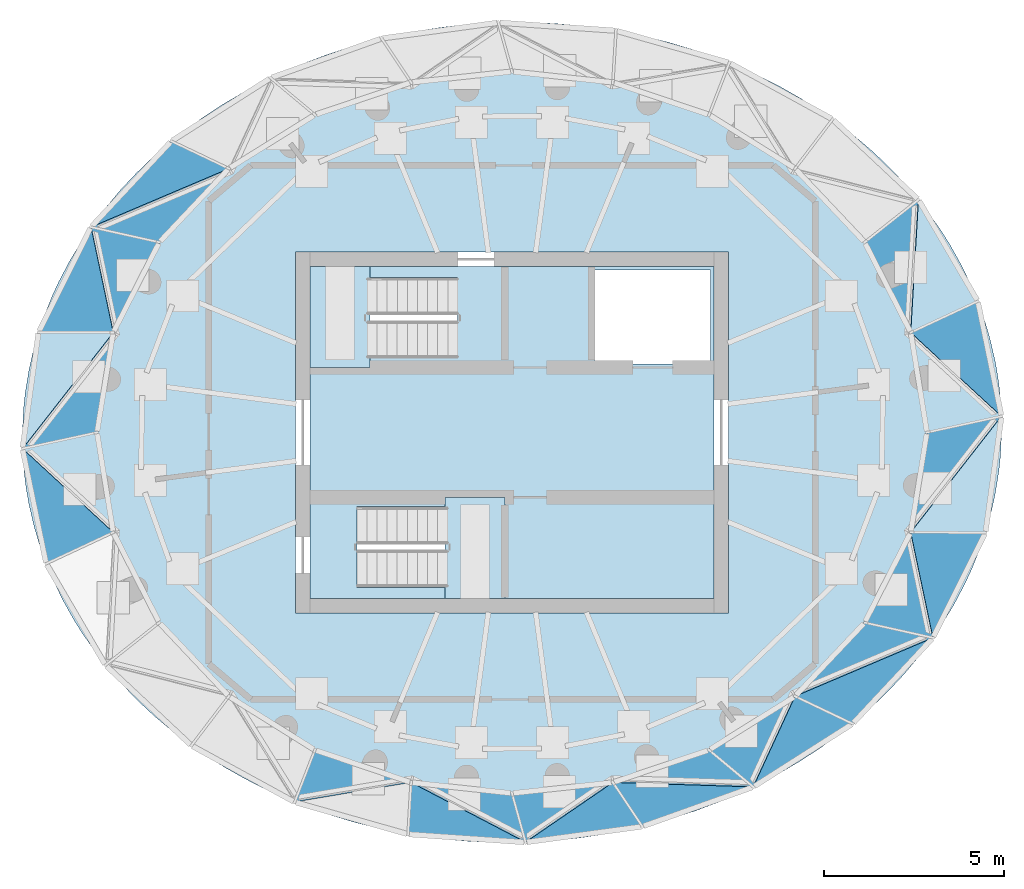
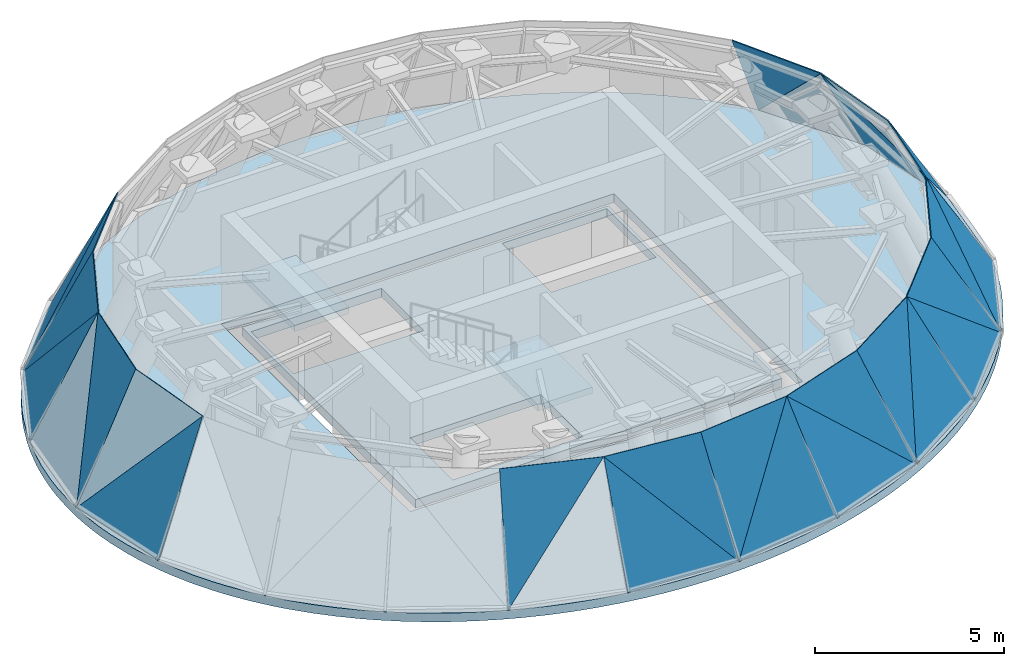
# One storey, part 5 of 8: 27 plates, 4 slabs, 29 elements without a shape of their own.
"""IFC4 building model written with IfcOpenShell, lengths in metres."""

from ifc_helpers import new_model, si_unit, direction, frame, origin, place, context, subcontext, project, spatial, line, indexed_curve, outline, extrude, material, layer, layer_set, type_object, element, aggregate, save


model = new_model("IFC4")

# Units and contexts
model_context = context("Model", 3, precision=1e-05, world=origin(), true_north=direction((0.0, 1.0)))
body_context = subcontext(model_context, "Body", "Model", "MODEL_VIEW")
ifc_project = project(units=[si_unit("LENGTHUNIT", "METRE"), si_unit("AREAUNIT", "SQUARE_METRE"), si_unit("VOLUMEUNIT", "CUBIC_METRE"), si_unit("PLANEANGLEUNIT", "RADIAN"), si_unit("MASSUNIT", "GRAM", prefix="KILO")], contexts=[model_context])

# Site, building, storey
site_placement = place(None, origin())
site = spatial("IfcSite", under=ifc_project, at=site_placement, CompositionType="ELEMENT")
building_placement = place(site_placement, origin())
building = spatial("IfcBuilding", under=site, at=building_placement, Name="Spindrift Exchange Tower", CompositionType="ELEMENT")
storey_placement = place(building_placement, frame((0.0, 0.0, 283.60009765625)))
storey = spatial("IfcBuildingStorey", under=building, at=storey_placement, Name="L70", CompositionType="ELEMENT", Elevation=283.60009765625)

# Curtain wall, plate
ifc_material_1 = material(Name="Fritted laminated glass with bronze frame", Category="glass")
ifc_layer_1 = layer(ifc_material_1, 0.14990234375)
ifc_layer_set_1 = layer_set([ifc_layer_1], Name="CROWN BRONZE RAKED GLAZED WALL")
curtain_wall_type = type_object("IfcCurtainWallType", Name="CROWN BRONZE RAKED GLAZED WALL", PredefinedType="NOTDEFINED", material=ifc_layer_set_1)
curtain_wall_1_placement = place(storey_placement, origin())
curtain_wall_1 = element("IfcCurtainWall", 1, at=curtain_wall_1_placement, inside=storey, type_object=curtain_wall_type, Name="L70 Crown Bronze Raked Glazed Wall facet 3", PredefinedType="NOTDEFINED")
ifc_material_2 = material(Name="Bronze fritted laminated glass, close frit", Category="glass")
ifc_layer_2 = layer(ifc_material_2, 0.030029296875)
ifc_layer_set_2 = layer_set([ifc_layer_2], Name="CROWN BRONZE RAKED GLAZED WALL PANEL CLOSE FRIT 300")
plate_type_1 = type_object("IfcPlateType", Name="CROWN BRONZE RAKED GLAZED WALL PANEL CLOSE FRIT 300", PredefinedType="CURTAIN_PANEL", material=ifc_layer_set_2)
plate_1_placement = place(storey_placement, frame((63.263916015625, 54.44921875, 0.014892578125), z_axis=(0.745184539992, 0.435235376235, 0.505242682906), x_axis=(0.504341624055, -0.863504213218, 0.0)))
plate_1 = element("IfcPlate", 2, at=plate_1_placement, type_object=plate_type_1, Name="L70 panel CW-R.2a", PredefinedType="CURTAIN_PANEL", context=body_context, shape_type="SweptSolid", body=[
    extrude(outline(indexed_curve([(0.0, 0.0), (3.2578125, 0.0), (3.0703125, -4.0380859375)], segments=[line(1, 2, 3, 1)], self_intersect=False)), origin(), (0.0, 0.0, -1.0), 0.030029296875),
])
aggregate(curtain_wall_1, [plate_1])

curtain_wall_2_placement = place(storey_placement, origin())
curtain_wall_2 = element("IfcCurtainWall", 3, at=curtain_wall_2_placement, inside=storey, type_object=curtain_wall_type, Name="L70 Crown Bronze Raked Glazed Wall facet 4", PredefinedType="NOTDEFINED")
plate_2_placement = place(storey_placement, frame((63.263916015625, 54.44921875, 0.013916015625), z_axis=(0.785453214008, 0.401009066203, 0.471439261652), x_axis=(-0.042105729036, -0.725325318576, 0.687117377029)))
plate_2 = element("IfcPlate", 4, at=plate_2_placement, type_object=plate_type_1, Name="L70 panel CW-R.2b", PredefinedType="CURTAIN_PANEL", context=body_context, shape_type="SweptSolid", body=[
    extrude(outline(indexed_curve([(0.0, 0.0), (5.0732421875, 0.0), (3.3134765625, -2.1875)], segments=[line(1, 2, 3, 1)], self_intersect=False)), origin(), (0.0, 0.0, -1.0), 0.030029296875),
])
aggregate(curtain_wall_2, [plate_2])

curtain_wall_3_placement = place(storey_placement, origin())
curtain_wall_3 = element("IfcCurtainWall", 5, at=curtain_wall_3_placement, inside=storey, type_object=curtain_wall_type, Name="L70 Crown Bronze Raked Glazed Wall facet 19", PredefinedType="NOTDEFINED")
plate_3_placement = place(storey_placement, frame((40.334716796875, 53.6904296875, 0.012939453125), z_axis=(-0.657817903597, 0.615064797408, 0.434707833719), x_axis=(0.682971612853, 0.730444916498, 0.0)))
plate_3 = element("IfcPlate", 6, at=plate_3_placement, type_object=plate_type_1, Name="L70 panel CW-R.10a", PredefinedType="CURTAIN_PANEL", context=body_context, shape_type="SweptSolid", body=[
    extrude(outline(indexed_curve([(0.0, 0.0), (3.2607421875, 0.0), (3.7939453125, -3.8720703125)], segments=[line(1, 2, 3, 1)], self_intersect=False)), origin(), (0.0, 0.0, -1.0), 0.030029296875),
])
aggregate(curtain_wall_3, [plate_3])

curtain_wall_4_placement = place(storey_placement, origin())
curtain_wall_4 = element("IfcCurtainWall", 7, at=curtain_wall_4_placement, inside=storey, type_object=curtain_wall_type, Name="L70 Crown Bronze Raked Glazed Wall facet 20", PredefinedType="NOTDEFINED")
plate_4_placement = place(storey_placement, frame((40.334716796875, 53.6904296875, 0.0126953125), z_axis=(-0.656115855236, 0.619721622501, 0.430647297811), x_axis=(0.704766908245, 0.299128494125, 0.643292895224)))
plate_4 = element("IfcPlate", 8, at=plate_4_placement, type_object=plate_type_1, Name="L70 panel CW-R.10b", PredefinedType="CURTAIN_PANEL", context=body_context, shape_type="SweptSolid", body=[
    extrude(outline(indexed_curve([(0.0, 0.0), (5.4208984375, 0.0), (3.4501953125, -2.001953125)], segments=[line(1, 2, 3, 1)], self_intersect=False)), origin(), (0.0, 0.0, -1.0), 0.030029296875),
])
aggregate(curtain_wall_4, [plate_4])

curtain_wall_5_placement = place(storey_placement, origin())
curtain_wall_5 = element("IfcCurtainWall", 9, at=curtain_wall_5_placement, inside=storey, type_object=curtain_wall_type, Name="L70 Crown Bronze Raked Glazed Wall facet 25", PredefinedType="NOTDEFINED")
plate_5_placement = place(storey_placement, frame((38.435546875, 47.55126953125, 0.0146484375), z_axis=(-0.85014811772, -0.175407752863, 0.496467821891), x_axis=(0.202069831285, -0.979371116219, 0.0)))
plate_5 = element("IfcPlate", 10, at=plate_5_placement, type_object=plate_type_1, Name="L70 panel CW-R.13a", PredefinedType="CURTAIN_PANEL", context=body_context, shape_type="SweptSolid", body=[
    extrude(outline(indexed_curve([(0.0, 0.0), (3.2548828125, 0.0), (2.7802734375, 4.0146484375)], segments=[line(1, 2, 3, 1)], self_intersect=False)), origin(), (0.0, 0.0, -1.0), 0.030029296875),
])
aggregate(curtain_wall_5, [plate_5])

curtain_wall_6_placement = place(storey_placement, origin())
curtain_wall_6 = element("IfcCurtainWall", 11, at=curtain_wall_6_placement, inside=storey, type_object=curtain_wall_type, Name="L70 Crown Bronze Raked Glazed Wall facet 26", PredefinedType="NOTDEFINED")
plate_6_placement = place(storey_placement, frame((38.435546875, 47.55126953125, 0.015380859375), z_axis=(-0.84437652166, -0.137119064877, 0.517906025951), x_axis=(0.514827698814, -0.475183266384, 0.713549790752)))
plate_6 = element("IfcPlate", 12, at=plate_6_placement, type_object=plate_type_1, Name="L70 panel CW-R.13b", PredefinedType="CURTAIN_PANEL", context=body_context, shape_type="SweptSolid", body=[
    extrude(outline(indexed_curve([(0.0, 0.0), (4.8837890625, 0.0), (3.3359375, 2.33984375)], segments=[line(1, 2, 3, 1)], self_intersect=False)), origin(), (0.0, 0.0, -1.0), 0.030029296875),
])
aggregate(curtain_wall_6, [plate_6])

curtain_wall_7_placement = place(storey_placement, origin())
curtain_wall_7 = element("IfcCurtainWall", 13, at=curtain_wall_7_placement, inside=storey, type_object=curtain_wall_type, Name="L70 Crown Bronze Raked Glazed Wall facet 39", PredefinedType="NOTDEFINED")
plate_7_placement = place(storey_placement, frame((58.685791015625, 38.176513671875, 0.01123046875), z_axis=(0.310907110989, -0.872257553084, 0.377496396573), x_axis=(-0.941951556741, -0.335748811991, 0.0)))
plate_7 = element("IfcPlate", 14, at=plate_7_placement, type_object=plate_type_1, Name="L70 panel CW-R.20a", PredefinedType="CURTAIN_PANEL", context=body_context, shape_type="SweptSolid", body=[
    extrude(outline(indexed_curve([(0.0, 0.0), (3.2646484375, 0.0), (3.6220703125, -3.767578125)], segments=[line(1, 2, 3, 1)], self_intersect=False)), origin(), (0.0, 0.0, -1.0), 0.030029296875),
])
aggregate(curtain_wall_7, [plate_7])

curtain_wall_8_placement = place(storey_placement, origin())
curtain_wall_8 = element("IfcCurtainWall", 15, at=curtain_wall_8_placement, inside=storey, type_object=curtain_wall_type, Name="L70 Crown Bronze Raked Glazed Wall facet 40", PredefinedType="NOTDEFINED")
plate_8_placement = place(storey_placement, frame((58.685791015625, 38.176513671875, 0.0107421875), z_axis=(0.297914827801, -0.882743555741, 0.363332588924), x_axis=(-0.744151646246, 0.023635724876, 0.667592450451)))
plate_8 = element("IfcPlate", 16, at=plate_8_placement, type_object=plate_type_1, Name="L70 panel CW-R.20b", PredefinedType="CURTAIN_PANEL", context=body_context, shape_type="SweptSolid", body=[
    extrude(outline(indexed_curve([(0.0, 0.0), (5.2265625, 0.0), (3.265625, -2.0146484375)], segments=[line(1, 2, 3, 1)], self_intersect=False)), origin(), (0.0, 0.0, -1.0), 0.030029296875),
])
aggregate(curtain_wall_8, [plate_8])

curtain_wall_9_placement = place(storey_placement, origin())
curtain_wall_9 = element("IfcCurtainWall", 17, at=curtain_wall_9_placement, inside=storey, type_object=curtain_wall_type, Name="L70 Crown Bronze Raked Glazed Wall facet 41", PredefinedType="NOTDEFINED")
plate_9_placement = place(storey_placement, frame((58.685791015625, 38.176513671875, 0.01171875), z_axis=(0.493325295918, -0.775333525435, 0.394319764588), x_axis=(0.843695379122, 0.536822230583, 0.0)))
plate_9 = element("IfcPlate", 18, at=plate_9_placement, type_object=plate_type_1, Name="L70 panel CW-R.21a", PredefinedType="CURTAIN_PANEL", context=body_context, shape_type="SweptSolid", body=[
    extrude(outline(indexed_curve([(0.0, 0.0), (3.2626953125, 0.0), (2.326171875, 3.7958984375)], segments=[line(1, 2, 3, 1)], self_intersect=False)), origin(), (0.0, 0.0, -1.0), 0.030029296875),
])
aggregate(curtain_wall_9, [plate_9])

curtain_wall_10_placement = place(storey_placement, origin())
curtain_wall_10 = element("IfcCurtainWall", 19, at=curtain_wall_10_placement, inside=storey, type_object=curtain_wall_type, Name="L70 Crown Bronze Raked Glazed Wall facet 42", PredefinedType="NOTDEFINED")
plate_10_placement = place(storey_placement, frame((58.685791015625, 38.176513671875, 0.01171875), z_axis=(0.485766761889, -0.777880031132, 0.398664408005), x_axis=(0.260328213113, 0.564145002801, 0.783562146401)))
plate_10 = element("IfcPlate", 20, at=plate_10_placement, type_object=plate_type_1, Name="L70 panel CW-R.21b", PredefinedType="CURTAIN_PANEL", context=body_context, shape_type="SweptSolid", body=[
    extrude(outline(indexed_curve([(0.0, 0.0), (4.4521484375, 0.0), (2.9912109375, 2.4013671875)], segments=[line(1, 2, 3, 1)], self_intersect=False)), origin(), (0.0, 0.0, -1.0), 0.030029296875),
])
aggregate(curtain_wall_10, [plate_10])

curtain_wall_11_placement = place(storey_placement, origin())
curtain_wall_11 = element("IfcCurtainWall", 21, at=curtain_wall_11_placement, inside=storey, type_object=curtain_wall_type, Name="L70 Crown Bronze Raked Glazed Wall facet 45", PredefinedType="NOTDEFINED")
plate_11_placement = place(storey_placement, frame((63.665283203125, 42.3095703125, 0.013916015625), z_axis=(0.790122865764, -0.394002641772, 0.469539961318), x_axis=(0.446253974646, 0.894906358293, 0.0)))
plate_11 = element("IfcPlate", 22, at=plate_11_placement, type_object=plate_type_1, Name="L70 panel CW-R.23a", PredefinedType="CURTAIN_PANEL", context=body_context, shape_type="SweptSolid", body=[
    extrude(outline(indexed_curve([(0.0, 0.0), (3.2578125, 0.0), (2.33984375, 3.9482421875)], segments=[line(1, 2, 3, 1)], self_intersect=False)), origin(), (0.0, 0.0, -1.0), 0.030029296875),
])
aggregate(curtain_wall_11, [plate_11])

curtain_wall_12_placement = place(storey_placement, origin())
curtain_wall_12 = element("IfcCurtainWall", 23, at=curtain_wall_12_placement, inside=storey, type_object=curtain_wall_type, Name="L70 Crown Bronze Raked Glazed Wall facet 46", PredefinedType="NOTDEFINED")
plate_12_placement = place(storey_placement, frame((63.665283203125, 42.3095703125, 0.01416015625), z_axis=(0.784273944734, -0.400406996389, 0.473907814721), x_axis=(-0.134003036063, 0.63650112207, 0.759545593056)))
plate_12 = element("IfcPlate", 24, at=plate_12_placement, type_object=plate_type_1, Name="L70 panel CW-R.23b", PredefinedType="CURTAIN_PANEL", context=body_context, shape_type="SweptSolid", body=[
    extrude(outline(indexed_curve([(0.0, 0.0), (4.58984375, 0.0), (3.1689453125, 2.421875)], segments=[line(1, 2, 3, 1)], self_intersect=False)), origin(), (0.0, 0.0, -1.0), 0.030029296875),
])
aggregate(curtain_wall_12, [plate_12])

curtain_wall_13_placement = place(storey_placement, origin())
curtain_wall_13 = element("IfcCurtainWall", 25, at=curtain_wall_13_placement, inside=storey, type_object=curtain_wall_type, Name="L70 Crown Bronze Raked Glazed Wall facet 23", PredefinedType="NOTDEFINED")
ifc_layer_3 = layer(ifc_material_2, 0.030029296875)
ifc_layer_set_3 = layer_set([ifc_layer_3], Name="CROWN BRONZE RAKED GLAZED WALL PANEL CLOSE FRIT 420")
plate_type_2 = type_object("IfcPlateType", Name="CROWN BRONZE RAKED GLAZED WALL PANEL CLOSE FRIT 420", PredefinedType="CURTAIN_PANEL", material=ifc_layer_set_3)
plate_13_placement = place(storey_placement, frame((38.435546875, 47.55126953125, 0.01513671875), z_axis=(-0.853814910333, 0.117992746582, 0.507028412072), x_axis=(0.136893757912, 0.990585735333, 0.0)))
plate_13 = element("IfcPlate", 26, at=plate_13_placement, type_object=plate_type_2, Name="L70 panel CW-R.12a", PredefinedType="CURTAIN_PANEL", context=body_context, shape_type="SweptSolid", body=[
    extrude(outline(indexed_curve([(0.0, 0.0), (3.2548828125, 0.0), (3.5322265625, -4.04296875)], segments=[line(1, 2, 3, 1)], self_intersect=False)), origin(), (0.0, 0.0, -1.0), 0.030029296875),
])
aggregate(curtain_wall_13, [plate_13])

curtain_wall_14_placement = place(storey_placement, origin())
curtain_wall_14 = element("IfcCurtainWall", 27, at=curtain_wall_14_placement, inside=storey, type_object=curtain_wall_type, Name="L70 Crown Bronze Raked Glazed Wall facet 24", PredefinedType="NOTDEFINED")
plate_14_placement = place(storey_placement, frame((38.435546875, 47.55126953125, 0.0146484375), z_axis=(-0.859744387854, 0.139614666528, 0.491271139438), x_axis=(0.468288453832, 0.599389212464, 0.649182944931)))
plate_14 = element("IfcPlate", 28, at=plate_14_placement, type_object=plate_type_2, Name="L70 panel CW-R.12b", PredefinedType="CURTAIN_PANEL", context=body_context, shape_type="SweptSolid", body=[
    extrude(outline(indexed_curve([(0.0, 0.0), (5.369140625, 0.0), (3.498046875, -2.0908203125)], segments=[line(1, 2, 3, 1)], self_intersect=False)), origin(), (0.0, 0.0, -1.0), 0.030029296875),
])
aggregate(curtain_wall_14, [plate_14])

curtain_wall_15_placement = place(storey_placement, origin())
curtain_wall_15 = element("IfcCurtainWall", 29, at=curtain_wall_15_placement, inside=storey, type_object=curtain_wall_type, Name="L70 Crown Bronze Raked Glazed Wall facet 34", PredefinedType="NOTDEFINED")
plate_15_placement = place(storey_placement, frame((45.978271484375, 37.756103515625, 0.011962890625), z_axis=(-0.292316130946, -0.866154204999, 0.405374114556), x_axis=(0.674511107425, 0.113754503621, 0.729448201633)))
plate_15 = element("IfcPlate", 30, at=plate_15_placement, type_object=plate_type_2, Name="L70 panel CW-R.17b", PredefinedType="CURTAIN_PANEL", context=body_context, shape_type="SweptSolid", body=[
    extrude(outline(indexed_curve([(0.0, 0.0), (4.7822265625, 0.0), (3.0869140625, 2.244140625)], segments=[line(1, 2, 3, 1)], self_intersect=False)), origin(), (0.0, 0.0, -1.0), 0.030029296875),
])
aggregate(curtain_wall_15, [plate_15])

curtain_wall_16_placement = place(storey_placement, origin())
curtain_wall_16 = element("IfcCurtainWall", 31, at=curtain_wall_16_placement, inside=storey, type_object=curtain_wall_type, Name="L70 Crown Bronze Raked Glazed Wall facet 37", PredefinedType="NOTDEFINED")
plate_16_placement = place(storey_placement, frame((52.375732421875, 36.643310546875, 0.010498046875), z_axis=(0.125297129076, -0.927100812122, 0.353248798452), x_axis=(0.990990552755, 0.133931789917, 0.0)))
plate_16 = element("IfcPlate", 32, at=plate_16_placement, type_object=plate_type_2, Name="L70 panel CW-R.19a", PredefinedType="CURTAIN_PANEL", context=body_context, shape_type="SweptSolid", body=[
    extrude(outline(indexed_curve([(0.0, 0.0), (3.2646484375, 0.0), (2.62109375, 3.7294921875)], segments=[line(1, 2, 3, 1)], self_intersect=False)), origin(), (0.0, 0.0, -1.0), 0.030029296875),
])
aggregate(curtain_wall_16, [plate_16])

curtain_wall_17_placement = place(storey_placement, origin())
curtain_wall_17 = element("IfcCurtainWall", 33, at=curtain_wall_17_placement, inside=storey, type_object=curtain_wall_type, Name="L70 Crown Bronze Raked Glazed Wall facet 38", PredefinedType="NOTDEFINED")
plate_17_placement = place(storey_placement, frame((52.375732421875, 36.643310546875, 0.010986328125), z_axis=(0.099120078612, -0.923776550381, 0.369881190361), x_axis=(0.531050035247, 0.363459963609, 0.765429758317)))
plate_17 = element("IfcPlate", 34, at=plate_17_placement, type_object=plate_type_2, Name="L70 panel CW-R.19b", PredefinedType="CURTAIN_PANEL", context=body_context, shape_type="SweptSolid", body=[
    extrude(outline(indexed_curve([(0.0, 0.0), (4.55859375, 0.0), (2.9638671875, 2.3173828125)], segments=[line(1, 2, 3, 1)], self_intersect=False)), origin(), (0.0, 0.0, -1.0), 0.030029296875),
])
aggregate(curtain_wall_17, [plate_17])

curtain_wall_18_placement = place(storey_placement, origin())
curtain_wall_18 = element("IfcCurtainWall", 35, at=curtain_wall_18_placement, inside=storey, type_object=curtain_wall_type, Name="L70 Crown Bronze Raked Glazed Wall facet 43", PredefinedType="NOTDEFINED")
plate_18_placement = place(storey_placement, frame((63.665283203125, 42.3095703125, 0.012939453125), z_axis=(0.657817903597, -0.615064797408, 0.434707833719), x_axis=(-0.682971612853, -0.730444916498, 0.0)))
plate_18 = element("IfcPlate", 36, at=plate_18_placement, type_object=plate_type_2, Name="L70 panel CW-R.22a", PredefinedType="CURTAIN_PANEL", context=body_context, shape_type="SweptSolid", body=[
    extrude(outline(indexed_curve([(0.0, 0.0), (3.2607421875, 0.0), (3.7939453125, -3.8720703125)], segments=[line(1, 2, 3, 1)], self_intersect=False)), origin(), (0.0, 0.0, -1.0), 0.030029296875),
])
aggregate(curtain_wall_18, [plate_18])

curtain_wall_19_placement = place(storey_placement, origin())
curtain_wall_19 = element("IfcCurtainWall", 37, at=curtain_wall_19_placement, inside=storey, type_object=curtain_wall_type, Name="L70 Crown Bronze Raked Glazed Wall facet 44", PredefinedType="NOTDEFINED")
plate_19_placement = place(storey_placement, frame((63.665283203125, 42.3095703125, 0.0126953125), z_axis=(0.656115855236, -0.619721622501, 0.430647297811), x_axis=(-0.704766908245, -0.299128494125, 0.643292895224)))
plate_19 = element("IfcPlate", 38, at=plate_19_placement, type_object=plate_type_2, Name="L70 panel CW-R.22b", PredefinedType="CURTAIN_PANEL", context=body_context, shape_type="SweptSolid", body=[
    extrude(outline(indexed_curve([(0.0, 0.0), (5.4208984375, 0.0), (3.4501953125, -2.001953125)], segments=[line(1, 2, 3, 1)], self_intersect=False)), origin(), (0.0, 0.0, -1.0), 0.030029296875),
])
aggregate(curtain_wall_19, [plate_19])

curtain_wall_20_placement = place(storey_placement, origin())
curtain_wall_20 = element("IfcCurtainWall", 39, at=curtain_wall_20_placement, inside=storey, type_object=curtain_wall_type, Name="L70 Crown Bronze Raked Glazed Wall facet 1", PredefinedType="NOTDEFINED")
ifc_layer_4 = layer(ifc_material_2, 0.030029296875)
ifc_layer_set_4 = layer_set([ifc_layer_4], Name="CROWN BRONZE RAKED GLAZED WALL PANEL CLOSE FRIT 540")
plate_type_3 = type_object("IfcPlateType", Name="CROWN BRONZE RAKED GLAZED WALL PANEL CLOSE FRIT 540", PredefinedType="CURTAIN_PANEL", material=ifc_layer_set_4)
plate_20_placement = place(storey_placement, frame((65.564453125, 48.44873046875, 0.0146484375), z_axis=(0.85014811772, 0.175407752863, 0.496467821891), x_axis=(-0.202069831285, 0.979371116219, 0.0)))
plate_20 = element("IfcPlate", 40, at=plate_20_placement, type_object=plate_type_3, Name="L70 panel CW-R.1a", PredefinedType="CURTAIN_PANEL", context=body_context, shape_type="SweptSolid", body=[
    extrude(outline(indexed_curve([(0.0, 0.0), (3.2548828125, 0.0), (2.7802734375, 4.0146484375)], segments=[line(1, 2, 3, 1)], self_intersect=False)), origin(), (0.0, 0.0, -1.0), 0.030029296875),
])
aggregate(curtain_wall_20, [plate_20])

curtain_wall_21_placement = place(storey_placement, origin())
curtain_wall_21 = element("IfcCurtainWall", 41, at=curtain_wall_21_placement, inside=storey, type_object=curtain_wall_type, Name="L70 Crown Bronze Raked Glazed Wall facet 2", PredefinedType="NOTDEFINED")
plate_21_placement = place(storey_placement, frame((65.564453125, 48.44873046875, 0.015380859375), z_axis=(0.84437652166, 0.137119064877, 0.517906025951), x_axis=(-0.514827698814, 0.475183266384, 0.713549790752)))
plate_21 = element("IfcPlate", 42, at=plate_21_placement, type_object=plate_type_3, Name="L70 panel CW-R.1b", PredefinedType="CURTAIN_PANEL", context=body_context, shape_type="SweptSolid", body=[
    extrude(outline(indexed_curve([(0.0, 0.0), (4.8837890625, 0.0), (3.3359375, 2.33984375)], segments=[line(1, 2, 3, 1)], self_intersect=False)), origin(), (0.0, 0.0, -1.0), 0.030029296875),
])
aggregate(curtain_wall_21, [plate_21])

curtain_wall_22_placement = place(storey_placement, origin())
curtain_wall_22 = element("IfcCurtainWall", 43, at=curtain_wall_22_placement, inside=storey, type_object=curtain_wall_type, Name="L70 Crown Bronze Raked Glazed Wall facet 21", PredefinedType="NOTDEFINED")
plate_22_placement = place(storey_placement, frame((40.334716796875, 53.6904296875, 0.013916015625), z_axis=(-0.790122865764, 0.394002641772, 0.469539961318), x_axis=(-0.446253974646, -0.894906358293, 0.0)))
plate_22 = element("IfcPlate", 44, at=plate_22_placement, type_object=plate_type_3, Name="L70 panel CW-R.11a", PredefinedType="CURTAIN_PANEL", context=body_context, shape_type="SweptSolid", body=[
    extrude(outline(indexed_curve([(0.0, 0.0), (3.2578125, 0.0), (2.33984375, 3.9482421875)], segments=[line(1, 2, 3, 1)], self_intersect=False)), origin(), (0.0, 0.0, -1.0), 0.030029296875),
])
aggregate(curtain_wall_22, [plate_22])

curtain_wall_23_placement = place(storey_placement, origin())
curtain_wall_23 = element("IfcCurtainWall", 45, at=curtain_wall_23_placement, inside=storey, type_object=curtain_wall_type, Name="L70 Crown Bronze Raked Glazed Wall facet 22", PredefinedType="NOTDEFINED")
plate_23_placement = place(storey_placement, frame((40.334716796875, 53.6904296875, 0.01416015625), z_axis=(-0.784273944734, 0.400406996389, 0.473907814721), x_axis=(0.134003036063, -0.63650112207, 0.759545593056)))
plate_23 = element("IfcPlate", 46, at=plate_23_placement, type_object=plate_type_3, Name="L70 panel CW-R.11b", PredefinedType="CURTAIN_PANEL", context=body_context, shape_type="SweptSolid", body=[
    extrude(outline(indexed_curve([(0.0, 0.0), (4.58984375, 0.0), (3.1689453125, 2.421875)], segments=[line(1, 2, 3, 1)], self_intersect=False)), origin(), (0.0, 0.0, -1.0), 0.030029296875),
])
aggregate(curtain_wall_23, [plate_23])

curtain_wall_24_placement = place(storey_placement, origin())
curtain_wall_24 = element("IfcCurtainWall", 47, at=curtain_wall_24_placement, inside=storey, type_object=curtain_wall_type, Name="L70 Crown Bronze Raked Glazed Wall facet 35", PredefinedType="NOTDEFINED")
plate_24_placement = place(storey_placement, frame((52.375732421875, 36.643310546875, 0.01123046875), z_axis=(-0.062994162195, -0.922508362069, 0.380801861133), x_axis=(-0.99767665123, 0.068127084122, 0.0)))
plate_24 = element("IfcPlate", 48, at=plate_24_placement, type_object=plate_type_3, Name="L70 panel CW-R.18a", PredefinedType="CURTAIN_PANEL", context=body_context, shape_type="SweptSolid", body=[
    extrude(outline(indexed_curve([(0.0, 0.0), (3.2646484375, 0.0), (3.27734375, -3.7734375)], segments=[line(1, 2, 3, 1)], self_intersect=False)), origin(), (0.0, 0.0, -1.0), 0.030029296875),
])
aggregate(curtain_wall_24, [plate_24])

curtain_wall_25_placement = place(storey_placement, origin())
curtain_wall_25 = element("IfcCurtainWall", 49, at=curtain_wall_25_placement, inside=storey, type_object=curtain_wall_type, Name="L70 Crown Bronze Raked Glazed Wall facet 36", PredefinedType="NOTDEFINED")
plate_25_placement = place(storey_placement, frame((52.375732421875, 36.643310546875, 0.010498046875), z_axis=(-0.099890765181, -0.930959173628, 0.351193468148), x_axis=(-0.634630174156, 0.331455426909, 0.698127382376)))
plate_25 = element("IfcPlate", 50, at=plate_25_placement, type_object=plate_type_3, Name="L70 panel CW-R.18b", PredefinedType="CURTAIN_PANEL", context=body_context, shape_type="SweptSolid", body=[
    extrude(outline(indexed_curve([(0.0, 0.0), (4.998046875, 0.0), (3.1240234375, -2.0966796875)], segments=[line(1, 2, 3, 1)], self_intersect=False)), origin(), (0.0, 0.0, -1.0), 0.030029296875),
])
aggregate(curtain_wall_25, [plate_25])

curtain_wall_26_placement = place(storey_placement, origin())
curtain_wall_26 = element("IfcCurtainWall", 51, at=curtain_wall_26_placement, inside=storey, type_object=curtain_wall_type, Name="L70 Crown Bronze Raked Glazed Wall facet 47", PredefinedType="NOTDEFINED")
plate_26_placement = place(storey_placement, frame((65.564453125, 48.44873046875, 0.01513671875), z_axis=(0.853814910333, -0.117992746582, 0.507028412072), x_axis=(-0.136893757912, -0.990585735333, 0.0)))
plate_26 = element("IfcPlate", 52, at=plate_26_placement, type_object=plate_type_3, Name="L70 panel CW-R.24a", PredefinedType="CURTAIN_PANEL", context=body_context, shape_type="SweptSolid", body=[
    extrude(outline(indexed_curve([(0.0, 0.0), (3.2548828125, 0.0), (3.5322265625, -4.04296875)], segments=[line(1, 2, 3, 1)], self_intersect=False)), origin(), (0.0, 0.0, -1.0), 0.030029296875),
])
aggregate(curtain_wall_26, [plate_26])

curtain_wall_27_placement = place(storey_placement, origin())
curtain_wall_27 = element("IfcCurtainWall", 53, at=curtain_wall_27_placement, inside=storey, type_object=curtain_wall_type, Name="L70 Crown Bronze Raked Glazed Wall facet 48", PredefinedType="NOTDEFINED")
plate_27_placement = place(storey_placement, frame((65.564453125, 48.44873046875, 0.0146484375), z_axis=(0.859744387854, -0.139614666528, 0.491271139438), x_axis=(-0.468288453832, -0.599389212464, 0.649182944931)))
plate_27 = element("IfcPlate", 54, at=plate_27_placement, type_object=plate_type_3, Name="L70 panel CW-R.24b", PredefinedType="CURTAIN_PANEL", context=body_context, shape_type="SweptSolid", body=[
    extrude(outline(indexed_curve([(0.0, 0.0), (5.369140625, 0.0), (3.498046875, -2.0908203125)], segments=[line(1, 2, 3, 1)], self_intersect=False)), origin(), (0.0, 0.0, -1.0), 0.030029296875),
])
aggregate(curtain_wall_27, [plate_27])

# Slabs
ifc_material_3 = material(Name="Concrete 40 MPa", Category="concrete")
ifc_layer_5 = layer(ifc_material_3, 0.280029296875)
ifc_layer_set_5 = layer_set([ifc_layer_5], Name="RC Floor Slab 280 Concrete 40 MPa")
slab_type_1 = type_object("IfcSlabType", Name="RC Floor Slab 280 Concrete 40 MPa", PredefinedType="FLOOR", material=ifc_layer_set_5)
slab_1_placement = place(storey_placement, frame((0.0, 0.0, -0.280029296875)))
element("IfcSlab", 55, at=slab_1_placement, inside=storey, type_object=slab_type_1, Name="Floor slab L70", PredefinedType="FLOOR", context=body_context, shape_type="SweptSolid", body=[
    extrude(outline(indexed_curve([(65.564453125, 48.44873046875), (65.5400390625, 48.884033203125), (65.495849609375, 49.31787109375), (65.46630859375, 49.533935546875), (65.392333984375, 49.963623046875), (65.245361328125, 50.600830078125), (65.123779296875, 51.01953125), (64.90673828125, 51.636474609375), (64.739990234375, 52.039306640625), (64.45751953125, 52.629150390625), (64.138671875, 53.199951171875), (63.906494140625, 53.569091796875), (63.53125, 54.104736328125), (63.125, 54.6171875), (62.838134765625, 54.945556640625), (62.38525390625, 55.41748046875), (61.907470703125, 55.864013671875), (61.406494140625, 56.2841796875), (61.060546875, 56.5498046875), (60.525634765625, 56.926025390625), (59.97265625, 57.275390625), (59.403564453125, 57.597412109375), (58.81982421875, 57.892578125), (58.223388671875, 58.16064453125), (57.615234375, 58.401611328125), (56.997314453125, 58.615478515625), (56.37060546875, 58.802490234375), (55.736328125, 58.96240234375), (55.095947265625, 59.095703125), (54.45068359375, 59.2021484375), (53.801513671875, 59.281982421875), (53.149658203125, 59.33544921875), (52.49609375, 59.3623046875), (52.060302734375, 59.365234375), (51.624267578125, 59.356689453125), (50.97119140625, 59.322021484375), (50.536865234375, 59.2841796875), (50.103515625, 59.234619140625), (49.456787109375, 59.13818359375), (48.814208984375, 59.015625), (48.177490234375, 58.86669921875), (47.54736328125, 58.691650390625), (46.925048828125, 58.489990234375), (46.31201171875, 58.261962890625), (45.70947265625, 58.0078125), (45.11865234375, 57.727294921875), (44.541259765625, 57.42041015625), (43.978271484375, 57.087158203125), (43.431884765625, 56.72802734375), (42.903076171875, 56.343017578125), (42.39404296875, 55.932373046875), (42.066650390625, 55.644287109375), (41.594482421875, 55.19189453125), (41.147216796875, 54.71484375), (40.726318359375, 54.214111328125), (40.4619140625, 53.867431640625), (40.09033203125, 53.3291015625), (39.751220703125, 52.77001953125), (39.44677734375, 52.19140625), (39.263671875, 51.795654296875), (39.02099609375, 51.188232421875), (38.881103515625, 50.775390625), (38.705322265625, 50.1455078125), (38.61181640625, 49.719482421875), (38.507080078125, 49.07421875), (38.4619140625, 48.640380859375), (38.43115234375, 47.9873046875), (38.435546875, 47.55126953125), (38.4599609375, 47.115966796875), (38.504150390625, 46.68212890625), (38.53369140625, 46.466064453125), (38.607666015625, 46.036376953125), (38.754638671875, 45.399169921875), (38.876220703125, 44.98046875), (39.09326171875, 44.363525390625), (39.260009765625, 43.960693359375), (39.54248046875, 43.370849609375), (39.861328125, 42.800048828125), (40.093505859375, 42.430908203125), (40.46875, 41.895263671875), (40.875, 41.3828125), (41.161865234375, 41.054443359375), (41.61474609375, 40.58251953125), (42.092529296875, 40.135986328125), (42.593505859375, 39.7158203125), (42.939453125, 39.4501953125), (43.474365234375, 39.073974609375), (44.02734375, 38.724609375), (44.596435546875, 38.402587890625), (45.18017578125, 38.107421875), (45.776611328125, 37.83935546875), (46.384765625, 37.598388671875), (47.002685546875, 37.384521484375), (47.62939453125, 37.197509765625), (48.263671875, 37.03759765625), (48.904052734375, 36.904296875), (49.54931640625, 36.7978515625), (50.198486328125, 36.718017578125), (50.850341796875, 36.66455078125), (51.50390625, 36.6376953125), (51.939697265625, 36.634765625), (52.375732421875, 36.643310546875), (53.02880859375, 36.677978515625), (53.463134765625, 36.7158203125), (53.896484375, 36.765380859375), (54.543212890625, 36.86181640625), (55.185791015625, 36.984375), (55.822509765625, 37.13330078125), (56.45263671875, 37.308349609375), (57.074951171875, 37.510009765625), (57.68798828125, 37.738037109375), (58.29052734375, 37.9921875), (58.88134765625, 38.272705078125), (59.458740234375, 38.57958984375), (60.021728515625, 38.912841796875), (60.568115234375, 39.27197265625), (61.096923828125, 39.656982421875), (61.60595703125, 40.067626953125), (61.933349609375, 40.355712890625), (62.405517578125, 40.80810546875), (62.852783203125, 41.28515625), (63.273681640625, 41.785888671875), (63.5380859375, 42.132568359375), (63.90966796875, 42.6708984375), (64.248779296875, 43.22998046875), (64.55322265625, 43.80859375), (64.736328125, 44.204345703125), (64.97900390625, 44.811767578125), (65.118896484375, 45.224609375), (65.294677734375, 45.8544921875), (65.38818359375, 46.280517578125), (65.492919921875, 46.92578125), (65.5380859375, 47.359619140625), (65.56884765625, 48.0126953125)], segments=[line(1, 2, 3, 4, 5, 6, 7, 8, 9, 10, 11, 12, 13, 14, 15, 16, 17, 18, 19, 20, 21, 22, 23, 24, 25, 26, 27, 28, 29, 30, 31, 32, 33, 34, 35, 36, 37, 38, 39, 40, 41, 42, 43, 44, 45, 46, 47, 48, 49, 50, 51, 52, 53, 54, 55, 56, 57, 58, 59, 60, 61, 62, 63, 64, 65, 66, 67, 68, 69, 70, 71, 72, 73, 74, 75, 76, 77, 78, 79, 80, 81, 82, 83, 84, 85, 86, 87, 88, 89, 90, 91, 92, 93, 94, 95, 96, 97, 98, 99, 100, 101, 102, 103, 104, 105, 106, 107, 108, 109, 110, 111, 112, 113, 114, 115, 116, 117, 118, 119, 120, 121, 122, 123, 124, 125, 126, 127, 128, 129, 130, 131, 132, 133, 134, 1)], self_intersect=False), holes=[indexed_curve([(46.0, 43.0), (58.0, 43.0), (58.0, 53.0), (46.0, 53.0)], segments=[line(1, 2, 3, 4, 1)], self_intersect=False)]), origin(), (0.0, 0.0, 1.0), 0.280029296875),
])
ifc_material_4 = material(Name="Concrete 50 MPa", Category="concrete")
ifc_layer_6 = layer(ifc_material_4, 0.280029296875)
ifc_layer_set_6 = layer_set([ifc_layer_6], Name="SL-CORE-FLOOR-280")
slab_type_2 = type_object("IfcSlabType", Name="SL-CORE-FLOOR-280", PredefinedType="FLOOR", material=ifc_layer_set_6)
slab_2_placement = place(storey_placement, frame((0.0, 0.0, -0.280029296875)))
element("IfcSlab", 56, at=slab_2_placement, inside=storey, type_object=slab_type_2, Name="L70 Core floor slab", PredefinedType="FLOOR", context=body_context, shape_type="SweptSolid", body=[
    extrude(outline(indexed_curve([(46.39990234375, 43.39990234375), (46.39990234375, 52.60009765625), (57.60009765625, 52.60009765625), (57.60009765625, 43.39990234375)], segments=[line(1, 2, 3, 4, 1)], self_intersect=False), holes=[indexed_curve([(47.7060546875, 43.7060546875), (51.694091796875, 43.7060546875), (51.694091796875, 45.944091796875), (47.7060546875, 45.944091796875)], segments=[line(1, 2, 3, 4, 1)], self_intersect=False), indexed_curve([(50.493896484375, 50.055908203125), (50.493896484375, 52.2939453125), (46.506103515625, 52.2939453125), (46.506103515625, 50.055908203125)], segments=[line(1, 2, 3, 4, 1)], self_intersect=False), indexed_curve([(54.300048828125, 49.89990234375), (57.5, 49.89990234375), (57.5, 52.5), (54.300048828125, 52.5)], segments=[line(1, 2, 3, 4, 1)], self_intersect=False)]), origin(), (0.0, 0.0, 1.0), 0.280029296875),
])

# Stair, slab
stair_type = type_object("IfcStairType", Name="ST-1050-R175", PredefinedType="HALF_TURN_STAIR", material=ifc_material_4)
stair_1_placement = place(storey_placement, origin())
stair_1 = element("IfcStair", 57, at=stair_1_placement, inside=storey, type_object=stair_type, Name="L70 Exit stair ST3", PredefinedType="HALF_TURN_STAIR")
ifc_layer_7 = layer(ifc_material_4, 0.199951171875)
ifc_layer_set_7 = layer_set([ifc_layer_7], Name="SL-LANDING")
slab_type_3 = type_object("IfcSlabType", Name="SL-LANDING", PredefinedType="LANDING", material=ifc_layer_set_7)
slab_3_placement = place(storey_placement, frame((0.0, 0.0, 1.5498046875)))
slab_3 = element("IfcSlab", 58, at=slab_3_placement, type_object=slab_type_3, Name="ST3 landing 1", PredefinedType="LANDING", context=body_context, shape_type="SweptSolid", body=[
    extrude(outline(indexed_curve([(48.06005859375, 49.800048828125), (46.39990234375, 49.800048828125), (46.39990234375, 52.60009765625), (48.06005859375, 52.60009765625)], segments=[line(1, 2, 3, 4, 1)], self_intersect=False)), origin(), (0.0, 0.0, 1.0), 0.2001953125),
])
aggregate(stair_1, [slab_3])

stair_2_placement = place(storey_placement, origin())
stair_2 = element("IfcStair", 59, at=stair_2_placement, inside=storey, type_object=stair_type, Name="L70 Exit stair ST4", PredefinedType="HALF_TURN_STAIR")
slab_4_placement = place(storey_placement, frame((0.0, 0.0, 1.5498046875)))
slab_4 = element("IfcSlab", 60, at=slab_4_placement, type_object=slab_type_3, Name="ST4 landing 1", PredefinedType="LANDING", context=body_context, shape_type="SweptSolid", body=[
    extrude(outline(indexed_curve([(50.139892578125, 46.199951171875), (51.800048828125, 46.199951171875), (51.800048828125, 43.39990234375), (50.139892578125, 43.39990234375)], segments=[line(1, 2, 3, 4, 1)], self_intersect=False)), origin(), (0.0, 0.0, 1.0), 0.2001953125),
])
aggregate(stair_2, [slab_4])

save(model, "model.ifc")
